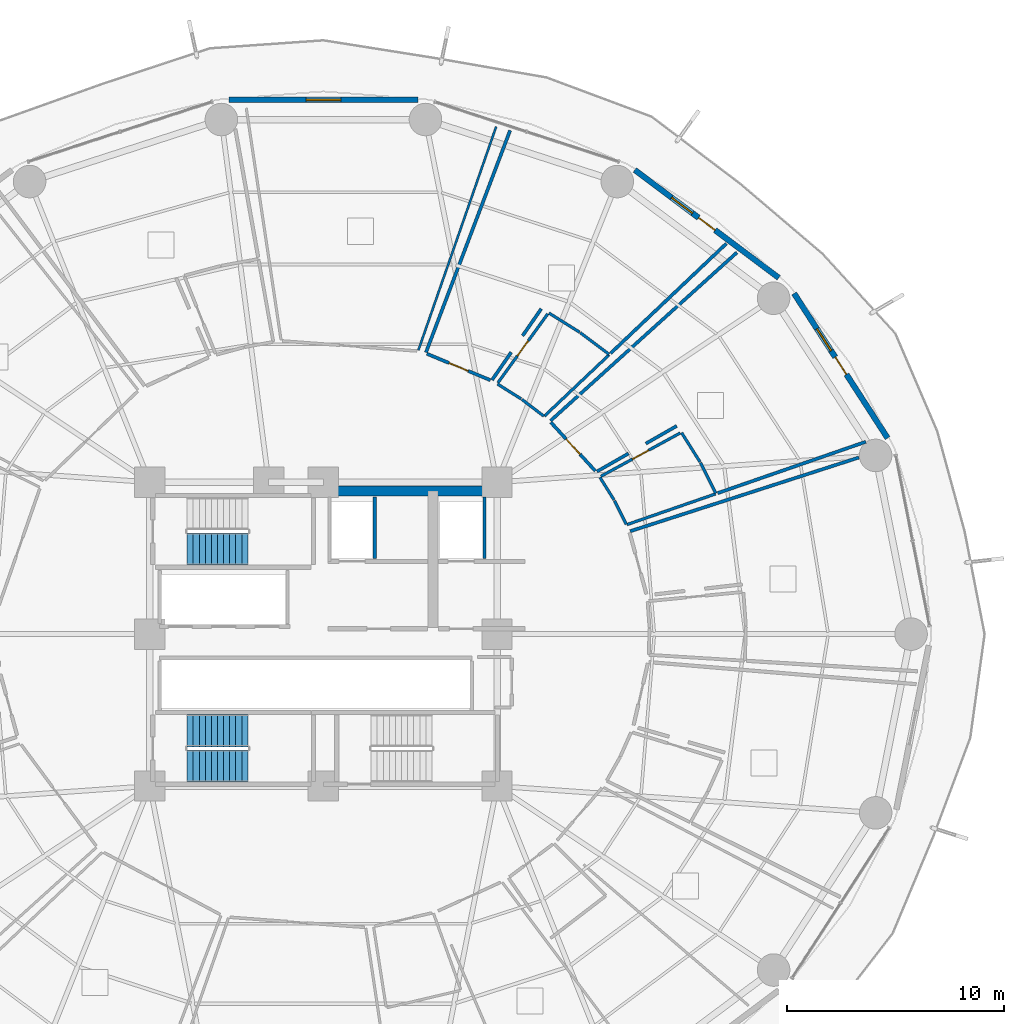
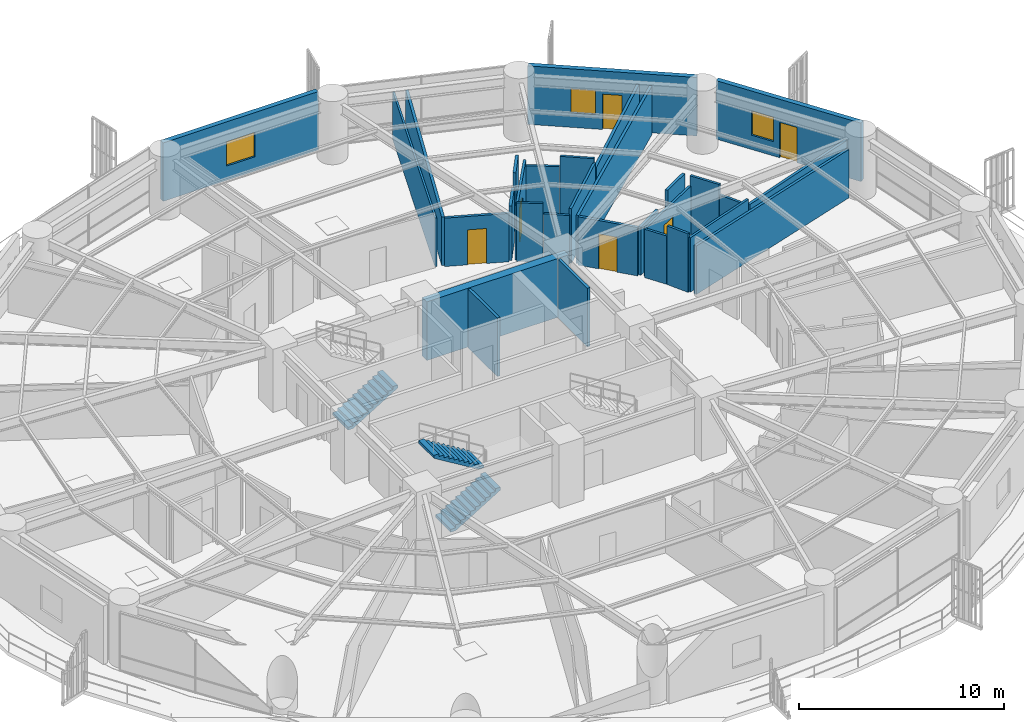
# One storey, part 26 of 32: 30 walls, 6 doors, 3 stair flights, 3 windows, 9 openings, 2 elements without a shape of their own.
"""IFC4 building model written with IfcOpenShell, lengths in metres."""

import ifcopenshell
import ifcopenshell.guid

model = None  # the IFC model being written
_history = None  # IfcOwnerHistory: only IFC2X3 demands one
_inside = {}  # id of a spatial element -> (the spatial element, [elements in it])
_under = {}  # id of a project, library or spatial element -> (it, [spatial elements below it])
_declared = {}  # id of a project -> (the project, [libraries it declares])
_typed = {}  # id of a type object -> (the type object, [elements of that type])
_made_of = {}  # id of a material, layer set ... -> (it, [elements and type objects made of it])


def new_model(schema):
    """Start an empty IFC model of exactly this schema.

    Asked for "IFC4X3", IfcOpenShell would pick the latest addendum, in which some entities
    have other attributes; the version numbers below select the first issue.
    IFC2X3 requires an IfcOwnerHistory on every rooted entity: one is made here for all.
    """
    global model, _history
    if schema == "IFC4X3":
        model = ifcopenshell.file(schema_version=(4, 3, 0, 0))
    else:
        model = ifcopenshell.file(schema=schema)
    _inside.clear()
    _under.clear()
    _declared.clear()
    _typed.clear()
    _made_of.clear()
    _history = None
    if model.schema == "IFC2X3":
        org = make("IfcOrganization", Name="unknown")
        user = make(
            "IfcPersonAndOrganization",
            ThePerson=make("IfcPerson", FamilyName="unknown"),
            TheOrganization=org,
        )
        app = make(
            "IfcApplication",
            ApplicationDeveloper=org,
            Version="unknown",
            ApplicationFullName="unknown",
            ApplicationIdentifier="unknown",
        )
        _history = make(
            "IfcOwnerHistory",
            OwningUser=user,
            OwningApplication=app,
            ChangeAction="ADDED",
            CreationDate=0,
        )
    return model


def make(cls, **values):
    """One entity of the class cls with the attributes given. An attribute that is None is left unset."""
    return model.create_entity(
        cls, **{name: value for name, value in values.items() if value is not None}
    )


def rooted(cls, **values):
    """An entity with a GlobalId (a new one), such as an element, a storey or a relation."""
    return make(cls, GlobalId=ifcopenshell.guid.new(), OwnerHistory=_history, **values)


def si_unit(unit_type, name, prefix=None):
    """IfcSIUnit, for example si_unit("LENGTHUNIT", "METRE", prefix="MILLI")."""
    return make("IfcSIUnit", UnitType=unit_type, Prefix=prefix, Name=name)


def assignment(units):
    """IfcUnitAssignment: the units of a project."""
    return None if units is None else make("IfcUnitAssignment", Units=units)


def point(xyz):
    """IfcCartesianPoint."""
    return None if xyz is None else make("IfcCartesianPoint", Coordinates=xyz)


def direction(xyz):
    """IfcDirection."""
    return None if xyz is None else make("IfcDirection", DirectionRatios=xyz)


def frame(location, z_axis=None, x_axis=None):
    """IfcAxis2Placement3D, a coordinate frame: its origin and axes. An axis left out is left unset."""
    return make(
        "IfcAxis2Placement3D",
        Location=point(location),
        Axis=direction(z_axis),
        RefDirection=direction(x_axis),
    )


def frame_2d(location, x_axis=None):
    """IfcAxis2Placement2D, a coordinate frame in the plane: its origin and x axis."""
    return make(
        "IfcAxis2Placement2D", Location=point(location), RefDirection=direction(x_axis)
    )


def origin():
    """The frame at (0, 0, 0) with its axes left unset."""
    return frame((0.0, 0.0, 0.0))


def place(relative_to, where):
    """IfcLocalPlacement: puts the frame where relative to a parent placement (None: the world)."""
    return make(
        "IfcLocalPlacement", PlacementRelTo=relative_to, RelativePlacement=where
    )


def context(
    kind, dimensions, precision=None, world=None, true_north=None, identifier=None
):
    """IfcGeometricRepresentationContext, for example the 3D "Model" context."""
    return make(
        "IfcGeometricRepresentationContext",
        ContextIdentifier=identifier,
        ContextType=kind,
        CoordinateSpaceDimension=dimensions,
        Precision=precision,
        WorldCoordinateSystem=world,
        TrueNorth=true_north,
    )


def subcontext(parent, identifier, kind, view, scale=None):
    """IfcGeometricRepresentationSubContext, for example "Body" below "Model"."""
    return make(
        "IfcGeometricRepresentationSubContext",
        ContextIdentifier=identifier,
        ContextType=kind,
        ParentContext=parent,
        TargetScale=scale,
        TargetView=view,
    )


def project(units=None, contexts=None):
    """IfcProject with its units and contexts."""
    return rooted(
        "IfcProject",
        Name="project",
        RepresentationContexts=contexts,
        UnitsInContext=assignment(units),
    )


def spatial(cls, under=None, at=None, **own):
    """A site, building, storey or space (cls), placed at a placement, below another one or the project."""
    s = rooted(cls, ObjectPlacement=at, **own)
    if under is not None:
        _under.setdefault(under.id(), (under, []))[1].append(s)
    return s


def polyline(points):
    """IfcPolyline through the points."""
    return make("IfcPolyline", Points=[point(p) for p in points])


def profile(cls, at=None, kind="AREA", **sizes):
    """A parametric profile (cls). Its sizes go by their IFC names, for example OverallWidth=200.0."""
    return make(cls, ProfileType=kind, Position=at, **sizes)


def rectangle(**sizes):
    """IfcRectangleProfileDef."""
    return profile("IfcRectangleProfileDef", **sizes)


def outline(outer, holes=None, kind="AREA"):
    """IfcArbitraryClosedProfileDef: a profile drawn as a closed curve; with holes, ...WithVoids."""
    if holes is None:
        return make("IfcArbitraryClosedProfileDef", ProfileType=kind, OuterCurve=outer)
    return make(
        "IfcArbitraryProfileDefWithVoids",
        ProfileType=kind,
        OuterCurve=outer,
        InnerCurves=holes,
    )


def extrude(swept, where, along, depth):
    """IfcExtrudedAreaSolid: the profile swept, set in the frame where, extruded along a direction by depth."""
    return make(
        "IfcExtrudedAreaSolid",
        SweptArea=swept,
        Position=where,
        ExtrudedDirection=direction(along),
        Depth=depth,
    )


def shape(context_of_items, identifier, shape_type, items):
    """IfcShapeRepresentation: the items that make up one representation, for example the "Body"."""
    return make(
        "IfcShapeRepresentation",
        ContextOfItems=context_of_items,
        RepresentationIdentifier=identifier,
        RepresentationType=shape_type,
        Items=items,
    )


def material(Name=None, Category=None):
    """IfcMaterial."""
    return make("IfcMaterial", Name=Name, Category=Category)


def layer(
    of_material, thickness, ventilated=None, Name=None, Category=None, Priority=None
):
    """IfcMaterialLayer: one layer of a wall or slab, of a material (None: an air gap)."""
    return make(
        "IfcMaterialLayer",
        Material=of_material,
        LayerThickness=thickness,
        IsVentilated=ventilated,
        Name=Name,
        Category=Category,
        Priority=Priority,
    )


def layer_set(layers, Name=None):
    """IfcMaterialLayerSet."""
    return make("IfcMaterialLayerSet", MaterialLayers=layers, LayerSetName=Name)


def made_of(thing, what):
    """Note that an element or type object is made of a material, layer set ...; save() writes the relation."""
    if what is not None:
        _made_of.setdefault(what.id(), (what, []))[1].append(thing)
    return thing


def type_object(cls, material=None, **own):
    """A type object (cls), such as IfcWallType, which elements share."""
    return made_of(rooted(cls, **own), material)


def element(
    cls,
    number,
    at=None,
    inside=None,
    cuts=None,
    type_object=None,
    material=None,
    context=None,
    identifier="Body",
    shape_type=None,
    held_by="IfcProductDefinitionShape",
    body=None,
    shapes=None,
    **own,
):
    """One element of the class cls, such as IfcWall. Its Tag is "e" and its number.

    at: its placement. inside: the storey or other place that contains it. cuts: it is an
    opening in that element (IfcRelVoidsElement). A single representation is given by context,
    identifier, shape_type and body (its items); several are given by shapes. held_by: the class
    of the entity that holds the representations. save() writes the other relations.
    """
    e = rooted(cls, Tag="e%d" % number, ObjectPlacement=at, **own)
    if body is not None:
        shapes = [shape(context, identifier, shape_type, body)]
    if shapes is not None:
        e.Representation = make(held_by, Representations=shapes)
    if inside is not None:
        _inside.setdefault(inside.id(), (inside, []))[1].append(e)
    if cuts is not None:
        rooted(
            "IfcRelVoidsElement", RelatingBuildingElement=cuts, RelatedOpeningElement=e
        )
    if type_object is not None:
        _typed.setdefault(type_object.id(), (type_object, []))[1].append(e)
    return made_of(e, material)


def fill(opening, filler):
    """IfcRelFillsElement: the door or window that sits in an opening."""
    return rooted(
        "IfcRelFillsElement",
        RelatingOpeningElement=opening,
        RelatedBuildingElement=filler,
    )


def aggregate(whole, parts):
    """IfcRelAggregates: a whole, such as a stair, and the parts it consists of."""
    return rooted("IfcRelAggregates", RelatingObject=whole, RelatedObjects=parts)


def save(model, path):
    """Write the relations noted so far, then the file.

    IfcRelAggregates (storeys below a building ...), IfcRelContainedInSpatialStructure (elements
    in a storey), IfcRelDefinesByType, IfcRelAssociatesMaterial and IfcRelDeclares: one each for
    every whole, place, type object, material and project.
    """
    for whole, parts in _under.values():
        aggregate(whole, parts)
    for where, things in _inside.values():
        rooted(
            "IfcRelContainedInSpatialStructure",
            RelatedElements=things,
            RelatingStructure=where,
        )
    for kind, things in _typed.values():
        rooted("IfcRelDefinesByType", RelatedObjects=things, RelatingType=kind)
    for what, things in _made_of.values():
        rooted("IfcRelAssociatesMaterial", RelatedObjects=things, RelatingMaterial=what)
    for by, libraries in _declared.values():
        rooted("IfcRelDeclares", RelatingContext=by, RelatedDefinitions=libraries)
    model.write(path)


model = new_model("IFC4")

# Units and contexts
model_context = context("Model", 3, precision=1e-05, world=origin(), true_north=direction((0.0, 1.0)))
body_context = subcontext(model_context, "Body", "Model", "MODEL_VIEW")
ifc_project = project(units=[si_unit("LENGTHUNIT", "METRE"), si_unit("AREAUNIT", "SQUARE_METRE"), si_unit("VOLUMEUNIT", "CUBIC_METRE"), si_unit("PLANEANGLEUNIT", "RADIAN"), si_unit("MASSUNIT", "GRAM", prefix="KILO")], contexts=[model_context])

# Site, building, storey
site_placement = place(None, origin())
site = spatial("IfcSite", under=ifc_project, at=site_placement, CompositionType="ELEMENT")
building_placement = place(site_placement, origin())
building = spatial("IfcBuilding", under=site, at=building_placement, Name="Kelanora Arch Commons", CompositionType="ELEMENT")
storey_placement = place(building_placement, frame((0.0, 0.0, 56.25)))
storey = spatial("IfcBuildingStorey", under=building, at=storey_placement, Name="L14", CompositionType="ELEMENT", Elevation=56.25)

# Walls
ifc_material_1 = material(Name="Autoclaved aerated concrete blockwork with fire plaster", Category="masonry")
ifc_layer_1 = layer(ifc_material_1, 0.14990234375)
ifc_layer_set_1 = layer_set([ifc_layer_1], Name="Autoclaved aerated concrete blockwork with fire plaster")
wall_type_1 = type_object("IfcWallType", Name="W-COMP-150", PredefinedType="PARTITIONING", material=ifc_layer_set_1)
for number, where, z_axis, x_axis, name in (
    (1, (76.360107421875, 61.47998046875, 0.0), (0.0, 0.0, 1.0), (0.0, 1.0, 0.0), "Firefighting Lift 1 East Shaft Wall L14"),
    (2, (81.419921875, 61.47998046875, 0.0), (0.0, 0.0, 1.0), (0.0, 1.0, 0.0), "Firefighting Lift 2 East Shaft Wall L14"),
):
    element("IfcWall", number, at=place(storey_placement, frame(where, z_axis=z_axis, x_axis=x_axis)), inside=storey, type_object=wall_type_1, Name=name, PredefinedType="PARTITIONING", context=body_context, shape_type="SweptSolid", body=[
        extrude(rectangle(XDim=2.840087890625, YDim=0.14990234375, at=frame_2d((1.419921875, 0.0))), origin(), (0.0, 0.0, 1.0), 3.47998046875),
    ])

# Wall, opening, door
wall_1_placement = place(storey_placement, frame((86.529541015625, 65.517333984375, 0.0), z_axis=(0.0, 0.0, 1.0), x_axis=(-0.674433052632, 0.738336005839, 0.0)))
wall_1 = element("IfcWall", 3, at=wall_1_placement, inside=storey, type_object=wall_type_1, Name="Co-Living Studio L14-01 Entry Partition", PredefinedType="PARTITIONING", context=body_context, shape_type="SweptSolid", body=[
    extrude(rectangle(XDim=3.041015625, YDim=0.14990234375, at=frame_2d((1.5205078125, 0.0))), origin(), (0.0, 0.0, 1.0), 2.875),
])
opening_1_placement = place(wall_1_placement, frame((1.0458984375, 0.0, 0.0)))
opening_1 = element("IfcOpeningElement", 4, at=opening_1_placement, cuts=wall_1, Name="Opening D-CLU1", PredefinedType="OPENING", context=body_context, shape_type="SweptSolid", body=[
    extrude(rectangle(XDim=0.949951171875, YDim=2.080078125, at=frame_2d((0.47509765625, 1.0400390625))), frame((0.0, 0.0849609375, 0.0), z_axis=(0.0, -1.0, 0.0), x_axis=(1.0, 0.0, 0.0)), (0.0, 0.0, 1.0), 0.169921875),
])
ifc_material_2 = material(Name="Solid-core acoustic timber cluster entry fire door", Category="wood")
door_type_1 = type_object("IfcDoorType", Name="D-CLU-95", OperationType="NOTDEFINED", PredefinedType="DOOR", material=ifc_material_2)
door_1_placement = place(opening_1_placement, origin())
door_1 = element("IfcDoor", 5, at=door_1_placement, inside=storey, type_object=door_type_1, Name="Co-Living Studio L14-01 Door", OperationType="SINGLE_SWING_RIGHT", OverallHeight=2.080078125, OverallWidth=0.949951171875, PredefinedType="DOOR", context=body_context, shape_type="SweptSolid", body=[
    extrude(rectangle(XDim=0.949951171875, YDim=2.080078125, at=frame_2d((0.47509765625, 1.0400390625))), frame((0.0, 0.02490234375, 0.0), z_axis=(0.0, -1.0, 0.0), x_axis=(1.0, 0.0, 0.0)), (0.0, 0.0, 1.0), 0.050048828125),
])
fill(opening_1, door_1)

wall_2_placement = place(storey_placement, frame((81.693603515625, 69.7021484375, 0.0), z_axis=(0.0, 0.0, 1.0), x_axis=(-0.923245473314, 0.384210614124, 0.0)))
wall_2 = element("IfcWall", 6, at=wall_2_placement, inside=storey, type_object=wall_type_1, Name="Co-Living Studio L14-02 Entry Partition", PredefinedType="PARTITIONING", context=body_context, shape_type="SweptSolid", body=[
    extrude(rectangle(XDim=3.16943359375, YDim=0.14990234375, at=frame_2d((1.584716796875, 0.0))), origin(), (0.0, 0.0, 1.0), 2.875),
])
opening_2_placement = place(wall_2_placement, frame((1.110107421875, 0.0, 0.0)))
opening_2 = element("IfcOpeningElement", 7, at=opening_2_placement, cuts=wall_2, Name="Opening D-CLU1", PredefinedType="OPENING", context=body_context, shape_type="SweptSolid", body=[
    extrude(rectangle(XDim=0.949951171875, YDim=2.080078125, at=frame_2d((0.47509765625, 1.0400390625))), frame((0.0, 0.0849609375, 0.0), z_axis=(0.0, -1.0, 0.0), x_axis=(1.0, 0.0, 0.0)), (0.0, 0.0, 1.0), 0.169921875),
])
door_2_placement = place(opening_2_placement, origin())
door_2 = element("IfcDoor", 8, at=door_2_placement, inside=storey, type_object=door_type_1, Name="Co-Living Studio L14-02 Door", OperationType="SINGLE_SWING_RIGHT", OverallHeight=2.080078125, OverallWidth=0.949951171875, PredefinedType="DOOR", context=body_context, shape_type="SweptSolid", body=[
    extrude(rectangle(XDim=0.949951171875, YDim=2.080078125, at=frame_2d((0.47509765625, 1.0400390625))), frame((0.0, 0.02490234375, 0.0), z_axis=(0.0, -1.0, 0.0), x_axis=(1.0, 0.0, 0.0)), (0.0, 0.0, 1.0), 0.050048828125),
])
fill(opening_2, door_2)

# Walls
wall_3_placement = place(storey_placement, frame((84.4677734375, 67.833740234375, 0.0), z_axis=(0.0, 0.0, 1.0), x_axis=(0.742191353367, 0.670188029577, 0.0)))
element("IfcWall", 9, at=wall_3_placement, inside=storey, type_object=wall_type_1, Name="Co-Living Studio L14-01 Enclosure Partition 2", PredefinedType="PARTITIONING", context=body_context, shape_type="SweptSolid", body=[
    extrude(rectangle(XDim=11.569091796875, YDim=0.14990234375, at=frame_2d((5.78466796875, 0.0))), origin(), (0.0, 0.0, 1.0), 2.875),
])
wall_4_placement = place(storey_placement, frame((98.992431640625, 66.863525390625, 0.0), z_axis=(0.0, 0.0, 1.0), x_axis=(-0.944826855148, -0.327570166212, 0.0)))
element("IfcWall", 10, at=wall_4_placement, inside=storey, type_object=wall_type_1, Name="Co-Living Studio L14-01 Enclosure Partition 5", PredefinedType="PARTITIONING", context=body_context, shape_type="SweptSolid", body=[
    extrude(rectangle(XDim=7.224365234375, YDim=0.14990234375, at=frame_2d((3.6123046875, 0.0))), origin(), (0.0, 0.0, 1.0), 2.875),
])
wall_5_placement = place(storey_placement, frame((90.283203125, 67.59423828125, 0.0), z_axis=(0.0, 0.0, 1.0), x_axis=(-0.868279787631, -0.496074803221, 0.0)))
element("IfcWall", 11, at=wall_5_placement, inside=storey, type_object=wall_type_1, Name="Co-Living Studio L14-01 Enclosure Partition 7", PredefinedType="PARTITIONING", context=body_context, shape_type="SweptSolid", body=[
    extrude(rectangle(XDim=1.639892578125, YDim=0.14990234375, at=frame_2d((0.81982421875, 0.0))), origin(), (0.0, 0.0, 1.0), 3.47998046875),
])
wall_6_placement = place(storey_placement, frame((88.060302734375, 66.32421875, 0.0), z_axis=(0.0, 0.0, 1.0), x_axis=(-0.86835963742, -0.495935016004, 0.0)))
element("IfcWall", 12, at=wall_6_placement, inside=storey, type_object=wall_type_1, Name="Co-Living Studio L14-01 Enclosure Partition 7", PredefinedType="PARTITIONING", context=body_context, shape_type="SweptSolid", body=[
    extrude(rectangle(XDim=1.67626953125, YDim=0.14990234375, at=frame_2d((0.838134765625, 0.0))), origin(), (0.0, 0.0, 1.0), 2.875),
])
wall_7_placement = place(storey_placement, frame((78.726318359375, 70.98046875, 0.0), z_axis=(0.0, 0.0, 1.0), x_axis=(0.354325845477, 0.935122021571, 0.0)))
element("IfcWall", 13, at=wall_7_placement, inside=storey, type_object=wall_type_1, Name="Co-Living Studio L14-02 Enclosure Partition 2", PredefinedType="PARTITIONING", context=body_context, shape_type="SweptSolid", body=[
    extrude(rectangle(XDim=10.937744140625, YDim=0.14990234375, at=frame_2d((5.46875, 0.0))), origin(), (0.0, 0.0, 1.0), 2.875),
])
wall_8_placement = place(storey_placement, frame((92.56689453125, 75.99658203125, 0.0), z_axis=(0.0, 0.0, 1.0), x_axis=(-0.725622707533, -0.688092789028, 0.0)))
element("IfcWall", 14, at=wall_8_placement, inside=storey, type_object=wall_type_1, Name="Co-Living Studio L14-02 Enclosure Partition 5", PredefinedType="PARTITIONING", context=body_context, shape_type="SweptSolid", body=[
    extrude(rectangle(XDim=7.350830078125, YDim=0.14990234375, at=frame_2d((3.67529296875, 0.0))), origin(), (0.0, 0.0, 1.0), 2.875),
])
wall_9_placement = place(storey_placement, frame((84.037353515625, 72.9921875, 0.0), z_axis=(0.0, 0.0, 1.0), x_axis=(-0.568328597461, -0.822801680424, 0.0)))
element("IfcWall", 15, at=wall_9_placement, inside=storey, type_object=wall_type_1, Name="Co-Living Studio L14-02 Enclosure Partition 7", PredefinedType="PARTITIONING", context=body_context, shape_type="SweptSolid", body=[
    extrude(rectangle(XDim=1.512939453125, YDim=0.14990234375, at=frame_2d((0.75634765625, 0.0))), origin(), (0.0, 0.0, 1.0), 3.47998046875),
])
wall_10_placement = place(storey_placement, frame((82.654541015625, 70.989990234375, 0.0), z_axis=(0.0, 0.0, 1.0), x_axis=(-0.568335150004, -0.822797154389, 0.0)))
element("IfcWall", 16, at=wall_10_placement, inside=storey, type_object=wall_type_1, Name="Co-Living Studio L14-02 Enclosure Partition 7", PredefinedType="PARTITIONING", context=body_context, shape_type="SweptSolid", body=[
    extrude(rectangle(XDim=1.55322265625, YDim=0.14990234375, at=frame_2d((0.776611328125, 0.0))), origin(), (0.0, 0.0, 1.0), 3.235107421875),
])
wall_11_placement = place(storey_placement, frame((88.134033203125, 62.7412109375, 0.0), z_axis=(0.0, 0.0, 1.0), x_axis=(0.951774856366, 0.30679736438, 0.0)))
element("IfcWall", 17, at=wall_11_placement, inside=storey, type_object=wall_type_1, Name="Co-Living Studio L14-14 Enclosure Partition 2", PredefinedType="PARTITIONING", context=body_context, shape_type="SweptSolid", body=[
    extrude(rectangle(XDim=11.077880859375, YDim=0.14990234375, at=frame_2d((5.5390625, 0.0))), origin(), (0.0, 0.0, 1.0), 2.875),
])
ifc_material_3 = material(Name="Concrete C60/75", Category="concrete")
ifc_layer_2 = layer(ifc_material_3, 0.449951171875)
ifc_layer_set_2 = layer_set([ifc_layer_2], Name="Concrete C60/75")
wall_type_2 = type_object("IfcWallType", Name="W-CORE-450", PredefinedType="SHEAR", material=ifc_layer_set_2)
wall_12_placement = place(storey_placement, frame((74.0, 64.60009765625, 0.0), z_axis=(0.0, 0.0, 1.0), x_axis=(1.0, 0.0, 0.0)))
element("IfcWall", 18, at=wall_12_placement, inside=storey, type_object=wall_type_2, Name="Core Shear Spine L14-CN-E", PredefinedType="SHEAR", context=body_context, shape_type="SweptSolid", body=[
    extrude(rectangle(XDim=8.0, YDim=0.449951171875, at=frame_2d((4.0, 0.0))), origin(), (0.0, 0.0, 1.0), 3.489990234375),
])

# Wall, openings, door, window
ifc_material_4 = material(Name="Precast concrete C40/50 with terracotta rainscreen", Category="masonry")
ifc_layer_3 = layer(ifc_material_4, 0.260009765625)
ifc_layer_set_3 = layer_set([ifc_layer_3], Name="Precast concrete C40/50 with terracotta rainscreen")
wall_type_3 = type_object("IfcWallType", Name="W-EXT-TC", PredefinedType="SOLIDWALL", material=ifc_layer_set_3)
wall_13_placement = place(storey_placement, frame((99.999267578125, 67.033203125, 0.0), z_axis=(0.0, 0.0, 1.0), x_axis=(-0.543005114258, 0.839729388488, 0.0)))
wall_13 = element("IfcWall", 19, at=wall_13_placement, inside=storey, type_object=wall_type_3, Name="Terracotta Exterior Wall L14-B01", PredefinedType="SOLIDWALL", context=body_context, shape_type="SweptSolid", body=[
    extrude(rectangle(XDim=7.9375, YDim=0.260009765625, at=frame_2d((3.96875, 0.0))), origin(), (0.0, 0.0, 1.0), 3.47509765625),
])
opening_3_placement = place(wall_13_placement, frame((3.493896484375, 0.0, 0.0)))
opening_3 = element("IfcOpeningElement", 20, at=opening_3_placement, cuts=wall_13, Name="Opening DB-01", PredefinedType="OPENING", context=body_context, shape_type="SweptSolid", body=[
    extrude(rectangle(XDim=0.949951171875, YDim=2.10009765625, at=frame_2d((0.47509765625, 1.050048828125))), frame((0.0, 0.14013671875, 0.0), z_axis=(0.0, -1.0, 0.0), x_axis=(1.0, 0.0, 0.0)), (0.0, 0.0, 1.0), 0.280029296875),
])
opening_4_placement = place(wall_13_placement, frame((4.7939453125, 0.0, 0.85009765625)))
opening_4 = element("IfcOpeningElement", 21, at=opening_4_placement, cuts=wall_13, Name="Opening WN-02", PredefinedType="OPENING", context=body_context, shape_type="SweptSolid", body=[
    extrude(rectangle(XDim=1.199951171875, YDim=1.449951171875, at=frame_2d((0.60009765625, 0.72509765625))), frame((0.0, 0.14013671875, 0.0), z_axis=(0.0, -1.0, 0.0), x_axis=(1.0, 0.0, 0.0)), (0.0, 0.0, 1.0), 0.280029296875),
])
ifc_material_5 = material(Name="Terracotta-aluminium thermally broken glazed balcony door", Category="masonry")
door_type_2 = type_object("IfcDoorType", Name="D-BAL-10", OperationType="NOTDEFINED", PredefinedType="DOOR", material=ifc_material_5)
door_3_placement = place(opening_3_placement, frame((0.949951171875, 0.0, 0.0), z_axis=(0.0, 0.0, 1.0), x_axis=(-1.0, 0.0, 0.0)))
door_3 = element("IfcDoor", 22, at=door_3_placement, inside=storey, type_object=door_type_2, Name="Wave Balcony Door L14-B01", OperationType="SINGLE_SWING_RIGHT", OverallHeight=2.10009765625, OverallWidth=0.949951171875, PredefinedType="DOOR", context=body_context, shape_type="SweptSolid", body=[
    extrude(rectangle(XDim=0.949951171875, YDim=2.10009765625, at=frame_2d((0.47509765625, 1.050048828125))), frame((0.0, 0.02490234375, 0.0), z_axis=(0.0, -1.0, 0.0), x_axis=(1.0, 0.0, 0.0)), (0.0, 0.0, 1.0), 0.050048828125),
])
fill(opening_3, door_3)
ifc_material_6 = material(Name="Terracotta-anodised aluminium frame with operable awning sash", Category="masonry")
window_type_1 = type_object("IfcWindowType", Name="WIN-CL-12", PartitioningType="SINGLE_PANEL", PredefinedType="WINDOW", material=ifc_material_6)
window_1_placement = place(opening_4_placement, origin())
window_1 = element("IfcWindow", 23, at=window_1_placement, inside=storey, type_object=window_type_1, Name="Co-Living Operable Window L14-B01", OverallHeight=1.449951171875, OverallWidth=1.199951171875, PartitioningType="SINGLE_PANEL", PredefinedType="WINDOW", context=body_context, shape_type="SweptSolid", body=[
    extrude(rectangle(XDim=1.199951171875, YDim=1.449951171875, at=frame_2d((0.60009765625, 0.72509765625))), frame((0.0, 0.030029296875, 0.0), z_axis=(0.0, -1.0, 0.0), x_axis=(1.0, 0.0, 0.0)), (0.0, 0.0, 1.0), 0.06005859375),
])
fill(opening_4, window_1)

wall_14_placement = place(storey_placement, frame((94.98388671875, 74.418212890625, 0.0), z_axis=(0.0, 0.0, 1.0), x_axis=(-0.80030733173, 0.599590005569, 0.0)))
wall_14 = element("IfcWall", 24, at=wall_14_placement, inside=storey, type_object=wall_type_3, Name="Terracotta Exterior Wall L14-B02", PredefinedType="SOLIDWALL", context=body_context, shape_type="SweptSolid", body=[
    extrude(rectangle(XDim=8.29052734375, YDim=0.260009765625, at=frame_2d((4.145263671875, 0.0))), origin(), (0.0, 0.0, 1.0), 3.47509765625),
])
opening_5_placement = place(wall_14_placement, frame((3.669921875, 0.0, 0.0)))
opening_5 = element("IfcOpeningElement", 25, at=opening_5_placement, cuts=wall_14, Name="Opening DB-01", PredefinedType="OPENING", context=body_context, shape_type="SweptSolid", body=[
    extrude(rectangle(XDim=0.949951171875, YDim=2.10009765625, at=frame_2d((0.47509765625, 1.050048828125))), frame((0.0, 0.14013671875, 0.0), z_axis=(0.0, -1.0, 0.0), x_axis=(1.0, 0.0, 0.0)), (0.0, 0.0, 1.0), 0.280029296875),
])
opening_6_placement = place(wall_14_placement, frame((4.969970703125, 0.0, 0.85009765625)))
opening_6 = element("IfcOpeningElement", 26, at=opening_6_placement, cuts=wall_14, Name="Opening WN-02", PredefinedType="OPENING", context=body_context, shape_type="SweptSolid", body=[
    extrude(rectangle(XDim=1.199951171875, YDim=1.449951171875, at=frame_2d((0.60009765625, 0.72509765625))), frame((0.0, 0.14013671875, 0.0), z_axis=(0.0, -1.0, 0.0), x_axis=(1.0, 0.0, 0.0)), (0.0, 0.0, 1.0), 0.280029296875),
])
door_4_placement = place(opening_5_placement, frame((0.949951171875, 0.0, 0.0), z_axis=(0.0, 0.0, 1.0), x_axis=(-1.0, 0.0, 0.0)))
door_4 = element("IfcDoor", 27, at=door_4_placement, inside=storey, type_object=door_type_2, Name="Wave Balcony Door L14-B02", OperationType="SINGLE_SWING_LEFT", OverallHeight=2.10009765625, OverallWidth=0.949951171875, PredefinedType="DOOR", context=body_context, shape_type="SweptSolid", body=[
    extrude(rectangle(XDim=0.949951171875, YDim=2.10009765625, at=frame_2d((0.47509765625, 1.050048828125))), frame((0.0, 0.02490234375, 0.0), z_axis=(0.0, -1.0, 0.0), x_axis=(1.0, 0.0, 0.0)), (0.0, 0.0, 1.0), 0.050048828125),
])
fill(opening_5, door_4)
window_2_placement = place(opening_6_placement, origin())
window_2 = element("IfcWindow", 28, at=window_2_placement, inside=storey, type_object=window_type_1, Name="Co-Living Operable Window L14-B02", OverallHeight=1.449951171875, OverallWidth=1.199951171875, PartitioningType="SINGLE_PANEL", PredefinedType="WINDOW", context=body_context, shape_type="SweptSolid", body=[
    extrude(rectangle(XDim=1.199951171875, YDim=1.449951171875, at=frame_2d((0.60009765625, 0.72509765625))), frame((0.0, 0.030029296875, 0.0), z_axis=(0.0, -1.0, 0.0), x_axis=(1.0, 0.0, 0.0)), (0.0, 0.0, 1.0), 0.06005859375),
])
fill(opening_6, window_2)

# Wall, opening, window
wall_15_placement = place(storey_placement, frame((78.35595703125, 82.6201171875, 0.0), z_axis=(0.0, 0.0, 1.0), x_axis=(-1.0, 0.0, 0.0)))
wall_15 = element("IfcWall", 29, at=wall_15_placement, inside=storey, type_object=wall_type_3, Name="Terracotta Exterior Wall L14-B04", PredefinedType="SOLIDWALL", context=body_context, shape_type="SweptSolid", body=[
    extrude(rectangle(XDim=8.7119140625, YDim=0.260009765625, at=frame_2d((4.35595703125, 0.0))), origin(), (0.0, 0.0, 1.0), 3.47509765625),
])
opening_7_placement = place(wall_15_placement, frame((3.555908203125, 0.0, 0.85009765625)))
opening_7 = element("IfcOpeningElement", 30, at=opening_7_placement, cuts=wall_15, Name="Opening WN-01", PredefinedType="OPENING", context=body_context, shape_type="SweptSolid", body=[
    extrude(rectangle(XDim=1.60009765625, YDim=1.449951171875, at=frame_2d((0.800048828125, 0.72509765625))), frame((0.0, 0.14013671875, 0.0), z_axis=(0.0, -1.0, 0.0), x_axis=(1.0, 0.0, 0.0)), (0.0, 0.0, 1.0), 0.280029296875),
])
ifc_material_7 = material(Name="Terracotta-anodised aluminium frame with operable low-E glazing", Category="masonry")
window_type_2 = type_object("IfcWindowType", Name="WIN-CL-18", PartitioningType="DOUBLE_PANEL_VERTICAL", PredefinedType="WINDOW", material=ifc_material_7)
window_3_placement = place(opening_7_placement, origin())
window_3 = element("IfcWindow", 31, at=window_3_placement, inside=storey, type_object=window_type_2, Name="Co-Living Operable Window L14-B04", OverallHeight=1.449951171875, OverallWidth=1.60009765625, PartitioningType="SINGLE_PANEL", PredefinedType="WINDOW", context=body_context, shape_type="SweptSolid", body=[
    extrude(rectangle(XDim=1.60009765625, YDim=1.449951171875, at=frame_2d((0.800048828125, 0.72509765625))), frame((0.0, 0.030029296875, 0.0), z_axis=(0.0, -1.0, 0.0), x_axis=(1.0, 0.0, 0.0)), (0.0, 0.0, 1.0), 0.06005859375),
])
fill(opening_7, window_3)

# Wall
ifc_material_8 = material(Name="Lightweight fire-rated acoustic stud partition")
ifc_layer_4 = layer(ifc_material_8, 0.10009765625)
ifc_layer_set_4 = layer_set([ifc_layer_4], Name="Lightweight fire-rated acoustic stud partition")
wall_type_4 = type_object("IfcWallType", Name="W-PART-100", PredefinedType="PARTITIONING", material=ifc_layer_set_4)
wall_16_placement = place(storey_placement, frame((81.9619140625, 81.38818359375, 0.0), z_axis=(0.0, 0.0, 1.0), x_axis=(-0.328662915274, -0.944447292401, 0.0)))
element("IfcWall", 32, at=wall_16_placement, inside=storey, type_object=wall_type_4, Name="Communal Dining and Social Hall L14-03 Enclosure Partition 4", PredefinedType="PARTITIONING", context=body_context, shape_type="SweptSolid", body=[
    extrude(rectangle(XDim=10.91357421875, YDim=0.10009765625, at=frame_2d((5.456787109375, 0.0))), origin(), (0.0, 0.0, 1.0), 2.875),
])

# Wall, opening, door
ifc_material_9 = material(Name="Moisture-resistant fire-rated cement-board plumbing wall")
ifc_layer_5 = layer(ifc_material_9, 0.1298828125)
ifc_layer_set_5 = layer_set([ifc_layer_5], Name="Moisture-resistant fire-rated cement-board plumbing wall")
wall_type_5 = type_object("IfcWallType", Name="W-WET-120", PredefinedType="PLUMBINGWALL", material=ifc_layer_set_5)
wall_17_placement = place(storey_placement, frame((86.78466796875, 65.271728515625, 0.0), z_axis=(0.0, 0.0, 1.0), x_axis=(0.877747757983, 0.479123025283, 0.0)))
wall_17 = element("IfcWall", 33, at=wall_17_placement, inside=storey, type_object=wall_type_5, Name="En-Suite Shower WC L14-01 Entry Partition", PredefinedType="PLUMBINGWALL", context=body_context, shape_type="SweptSolid", body=[
    extrude(rectangle(XDim=4.167236328125, YDim=0.1298828125, at=frame_2d((2.08349609375, 0.0))), origin(), (0.0, 0.0, 1.0), 2.875),
])
opening_8_placement = place(wall_17_placement, frame((1.654052734375, 0.0, 0.0)))
opening_8 = element("IfcOpeningElement", 34, at=opening_8_placement, cuts=wall_17, Name="Opening D-BT1", PredefinedType="OPENING", context=body_context, shape_type="SweptSolid", body=[
    extrude(rectangle(XDim=0.860107421875, YDim=2.050048828125, at=frame_2d((0.43017578125, 1.02490234375))), frame((0.0, 0.074951171875, 0.0), z_axis=(0.0, -1.0, 0.0), x_axis=(1.0, 0.0, 0.0)), (0.0, 0.0, 1.0), 0.14990234375),
])
ifc_material_10 = material(Name="Moisture-sealed fire-rated accessible bathroom door")
door_type_3 = type_object("IfcDoorType", Name="D-BATH-85", OperationType="NOTDEFINED", PredefinedType="DOOR", material=ifc_material_10)
door_5_placement = place(opening_8_placement, origin())
door_5 = element("IfcDoor", 35, at=door_5_placement, inside=storey, type_object=door_type_3, Name="En-Suite Shower WC L14-01 Door", OperationType="SINGLE_SWING_LEFT", OverallHeight=2.050048828125, OverallWidth=0.860107421875, PredefinedType="DOOR", context=body_context, shape_type="SweptSolid", body=[
    extrude(rectangle(XDim=0.860107421875, YDim=2.050048828125, at=frame_2d((0.43017578125, 1.02490234375))), frame((0.0, 0.02490234375, 0.0), z_axis=(0.0, -1.0, 0.0), x_axis=(1.0, 0.0, 0.0)), (0.0, 0.0, 1.0), 0.050048828125),
])
fill(opening_8, door_5)

wall_18_placement = place(storey_placement, frame((82.041259765625, 69.58349609375, 0.0), z_axis=(0.0, 0.0, 1.0), x_axis=(0.586113694769, 0.810228817559, 0.0)))
wall_18 = element("IfcWall", 36, at=wall_18_placement, inside=storey, type_object=wall_type_5, Name="En-Suite Shower WC L14-02 Entry Partition", PredefinedType="PLUMBINGWALL", context=body_context, shape_type="SweptSolid", body=[
    extrude(rectangle(XDim=3.91845703125, YDim=0.1298828125, at=frame_2d((1.959228515625, 0.0))), origin(), (0.0, 0.0, 1.0), 3.235107421875),
])
opening_9_placement = place(wall_18_placement, frame((1.529052734375, 0.0, 0.0)))
opening_9 = element("IfcOpeningElement", 37, at=opening_9_placement, cuts=wall_18, Name="Opening D-BT1", PredefinedType="OPENING", context=body_context, shape_type="SweptSolid", body=[
    extrude(rectangle(XDim=0.860107421875, YDim=2.050048828125, at=frame_2d((0.43017578125, 1.02490234375))), frame((0.0, 0.074951171875, 0.0), z_axis=(0.0, -1.0, 0.0), x_axis=(1.0, 0.0, 0.0)), (0.0, 0.0, 1.0), 0.14990234375),
])
door_6_placement = place(opening_9_placement, origin())
door_6 = element("IfcDoor", 38, at=door_6_placement, inside=storey, type_object=door_type_3, Name="En-Suite Shower WC L14-02 Door", OperationType="SINGLE_SWING_LEFT", OverallHeight=2.050048828125, OverallWidth=0.860107421875, PredefinedType="DOOR", context=body_context, shape_type="SweptSolid", body=[
    extrude(rectangle(XDim=0.860107421875, YDim=2.050048828125, at=frame_2d((0.43017578125, 1.02490234375))), frame((0.0, 0.02490234375, 0.0), z_axis=(0.0, -1.0, 0.0), x_axis=(1.0, 0.0, 0.0)), (0.0, 0.0, 1.0), 0.050048828125),
])
fill(opening_9, door_6)

# Walls
wall_19_placement = place(storey_placement, frame((87.9560546875, 63.057861328125, 0.0), z_axis=(0.0, 0.0, 1.0), x_axis=(-0.445610682281, 0.895226853841, 0.0)))
element("IfcWall", 39, at=wall_19_placement, inside=storey, type_object=wall_type_5, Name="En-Suite Shower WC L14-01 Enclosure Partition 1", PredefinedType="PLUMBINGWALL", context=body_context, shape_type="SweptSolid", body=[
    extrude(rectangle(XDim=1.218994140625, YDim=0.1298828125, at=frame_2d((0.609375, 0.0))), origin(), (0.0, 0.0, 1.0), 3.47998046875),
])
wall_20_placement = place(storey_placement, frame((87.393310546875, 64.18408203125, 0.0), z_axis=(0.0, 0.0, 1.0), x_axis=(-0.5296416079, 0.848221531901, 0.0)))
element("IfcWall", 40, at=wall_20_placement, inside=storey, type_object=wall_type_5, Name="En-Suite Shower WC L14-01 Enclosure Partition 2", PredefinedType="PLUMBINGWALL", context=body_context, shape_type="SweptSolid", body=[
    extrude(rectangle(XDim=1.228515625, YDim=0.1298828125, at=frame_2d((0.6142578125, 0.0))), origin(), (0.0, 0.0, 1.0), 2.875),
])
wall_21_placement = place(storey_placement, frame((90.505615234375, 67.280029296875, 0.0), z_axis=(0.0, 0.0, 1.0), x_axis=(0.533000334155, -0.846115029881, 0.0)))
element("IfcWall", 41, at=wall_21_placement, inside=storey, type_object=wall_type_5, Name="En-Suite Shower WC L14-01 Enclosure Partition 4", PredefinedType="PLUMBINGWALL", context=body_context, shape_type="SweptSolid", body=[
    extrude(rectangle(XDim=1.59228515625, YDim=0.1298828125, at=frame_2d((0.796142578125, 0.0))), origin(), (0.0, 0.0, 1.0), 3.47998046875),
])
wall_22_placement = place(storey_placement, frame((91.3740234375, 65.898193359375, 0.0), z_axis=(0.0, 0.0, 1.0), x_axis=(0.448882213202, -0.893590934752, 0.0)))
element("IfcWall", 42, at=wall_22_placement, inside=storey, type_object=wall_type_5, Name="En-Suite Shower WC L14-01 Enclosure Partition 5", PredefinedType="PLUMBINGWALL", context=body_context, shape_type="SweptSolid", body=[
    extrude(rectangle(XDim=1.579345703125, YDim=0.1298828125, at=frame_2d((0.78955078125, 0.0))), origin(), (0.0, 0.0, 1.0), 2.875),
])
wall_23_placement = place(storey_placement, frame((92.072998046875, 64.46240234375, 0.0), z_axis=(0.0, 0.0, 1.0), x_axis=(-0.944946491884, -0.327224888228, 0.0)))
element("IfcWall", 43, at=wall_23_placement, inside=storey, type_object=wall_type_5, Name="En-Suite Shower WC L14-01 Enclosure Partition 6", PredefinedType="PLUMBINGWALL", context=body_context, shape_type="SweptSolid", body=[
    extrude(rectangle(XDim=4.327392578125, YDim=0.1298828125, at=frame_2d((2.16357421875, 0.0))), origin(), (0.0, 0.0, 1.0), 3.235107421875),
])
wall_24_placement = place(storey_placement, frame((84.155029296875, 68.047119140625, 0.0), z_axis=(0.0, 0.0, 1.0), x_axis=(-0.795884944477, 0.605447896317, 0.0)))
element("IfcWall", 44, at=wall_24_placement, inside=storey, type_object=wall_type_5, Name="En-Suite Shower WC L14-02 Enclosure Partition 1", PredefinedType="PLUMBINGWALL", context=body_context, shape_type="SweptSolid", body=[
    extrude(rectangle(XDim=1.27294921875, YDim=0.1298828125, at=frame_2d((0.636474609375, 0.0))), origin(), (0.0, 0.0, 1.0), 2.875),
])
wall_25_placement = place(storey_placement, frame((83.109130859375, 68.8408203125, 0.0), z_axis=(0.0, 0.0, 1.0), x_axis=(-0.846337656307, 0.532646760544, 0.0)))
element("IfcWall", 45, at=wall_25_placement, inside=storey, type_object=wall_type_5, Name="En-Suite Shower WC L14-02 Enclosure Partition 2", PredefinedType="PLUMBINGWALL", context=body_context, shape_type="SweptSolid", body=[
    extrude(rectangle(XDim=1.283447265625, YDim=0.1298828125, at=frame_2d((0.6416015625, 0.0))), origin(), (0.0, 0.0, 1.0), 3.47998046875),
])
wall_26_placement = place(storey_placement, frame((84.389892578125, 72.79638671875, 0.0), z_axis=(0.0, 0.0, 1.0), x_axis=(0.848326822388, -0.529472947766, 0.0)))
element("IfcWall", 46, at=wall_26_placement, inside=storey, type_object=wall_type_5, Name="En-Suite Shower WC L14-02 Enclosure Partition 4", PredefinedType="PLUMBINGWALL", context=body_context, shape_type="SweptSolid", body=[
    extrude(rectangle(XDim=1.669189453125, YDim=0.1298828125, at=frame_2d((0.83447265625, 0.0))), origin(), (0.0, 0.0, 1.0), 2.875),
])
wall_27_placement = place(storey_placement, frame((85.839111328125, 71.889892578125, 0.0), z_axis=(0.0, 0.0, 1.0), x_axis=(0.798688091321, -0.601745239102, 0.0)))
element("IfcWall", 47, at=wall_27_placement, inside=storey, type_object=wall_type_5, Name="En-Suite Shower WC L14-02 Enclosure Partition 5", PredefinedType="PLUMBINGWALL", context=body_context, shape_type="SweptSolid", body=[
    extrude(rectangle(XDim=1.655029296875, YDim=0.1298828125, at=frame_2d((0.82763671875, 0.0))), origin(), (0.0, 0.0, 1.0), 3.47998046875),
])
wall_28_placement = place(storey_placement, frame((87.16259765625, 70.8681640625, 0.0), z_axis=(0.0, 0.0, 1.0), x_axis=(-0.726077844379, -0.687612509996, 0.0)))
element("IfcWall", 48, at=wall_28_placement, inside=storey, type_object=wall_type_5, Name="En-Suite Shower WC L14-02 Enclosure Partition 6", PredefinedType="PLUMBINGWALL", context=body_context, shape_type="SweptSolid", body=[
    extrude(rectangle(XDim=4.10009765625, YDim=0.1298828125, at=frame_2d((2.050048828125, 0.0))), origin(), (0.0, 0.0, 1.0), 3.235107421875),
])

# Stair, stair flight
ifc_material_11 = material(Name="Concrete C40/50", Category="concrete")
stair_type = type_object("IfcStairType", Name="STR-DL-375", PredefinedType="HALF_TURN_STAIR", material=ifc_material_11)
stair_1_placement = place(storey_placement, origin())
stair_1 = element("IfcStair", 49, at=stair_1_placement, inside=storey, type_object=stair_type, Name="L14 ST-T1", PredefinedType="HALF_TURN_STAIR")
stair_flight_type = type_object("IfcStairFlightType", Name="FLT-DL-375", PredefinedType="STRAIGHT", material=ifc_material_11)
stair_flight_1_placement = place(storey_placement, frame((67.719970703125, 61.919921875, 0.0), z_axis=(0.0, 0.0, 1.0), x_axis=(1.0, 0.0, 0.0)))
stair_flight_1 = element("IfcStairFlight", 50, at=stair_flight_1_placement, type_object=stair_flight_type, Name="ST-T1 flight 1", NumberOfRisers=11, NumberOfTreads=10, PredefinedType="STRAIGHT", RiserHeight=0.170454545, TreadLength=0.28, context=body_context, shape_type="SweptSolid", body=[
    extrude(outline(polyline([(0.0, 0.0), (0.0, 0.17041015625), (0.280029296875, 0.17041015625), (0.280029296875, 0.3408203125), (0.56005859375, 0.3408203125), (0.56005859375, 0.511474609375), (0.840087890625, 0.511474609375), (0.840087890625, 0.681884765625), (1.1201171875, 0.681884765625), (1.1201171875, 0.852294921875), (1.39990234375, 0.852294921875), (1.39990234375, 1.022705078125), (1.679931640625, 1.022705078125), (1.679931640625, 1.193115234375), (1.9599609375, 1.193115234375), (1.9599609375, 1.363525390625), (2.239990234375, 1.363525390625), (2.239990234375, 1.5341796875), (2.52001953125, 1.5341796875), (2.52001953125, 1.70458984375), (2.800048828125, 1.70458984375), (2.800048828125, 1.875), (2.800048828125, 1.529052734375), (0.288330078125, 0.0), (0.0, 0.0)])), frame((0.0, 0.739990234375, 0.0), z_axis=(0.0, -1.0, 0.0), x_axis=(1.0, 0.0, 0.0)), (0.0, 0.0, 1.0), 1.47998046875),
])
aggregate(stair_1, [stair_flight_1])

# Stair, stair flights
stair_2_placement = place(storey_placement, origin())
stair_2 = element("IfcStair", 51, at=stair_2_placement, inside=storey, type_object=stair_type, Name="L14 ST-T3", PredefinedType="HALF_TURN_STAIR")
stair_flight_2_placement = place(storey_placement, frame((67.719970703125, 51.919921875, 0.0), z_axis=(0.0, 0.0, 1.0), x_axis=(1.0, 0.0, 0.0)))
stair_flight_2 = element("IfcStairFlight", 52, at=stair_flight_2_placement, type_object=stair_flight_type, Name="ST-T3 flight 1", NumberOfRisers=11, NumberOfTreads=10, PredefinedType="STRAIGHT", RiserHeight=0.170454545, TreadLength=0.28, context=body_context, shape_type="SweptSolid", body=[
    extrude(outline(polyline([(0.0, 0.0), (0.0, 0.17041015625), (0.280029296875, 0.17041015625), (0.280029296875, 0.3408203125), (0.56005859375, 0.3408203125), (0.56005859375, 0.511474609375), (0.840087890625, 0.511474609375), (0.840087890625, 0.681884765625), (1.1201171875, 0.681884765625), (1.1201171875, 0.852294921875), (1.39990234375, 0.852294921875), (1.39990234375, 1.022705078125), (1.679931640625, 1.022705078125), (1.679931640625, 1.193115234375), (1.9599609375, 1.193115234375), (1.9599609375, 1.363525390625), (2.239990234375, 1.363525390625), (2.239990234375, 1.5341796875), (2.52001953125, 1.5341796875), (2.52001953125, 1.70458984375), (2.800048828125, 1.70458984375), (2.800048828125, 1.875), (2.800048828125, 1.529052734375), (0.288330078125, 0.0), (0.0, 0.0)])), frame((0.0, 0.739990234375, 0.0), z_axis=(0.0, -1.0, 0.0), x_axis=(1.0, 0.0, 0.0)), (0.0, 0.0, 1.0), 1.47998046875),
])
stair_flight_3_placement = place(storey_placement, frame((70.52001953125, 53.550048828125, 1.875), z_axis=(0.0, 0.0, 1.0), x_axis=(-1.0, 0.0, 0.0)))
stair_flight_3 = element("IfcStairFlight", 53, at=stair_flight_3_placement, type_object=stair_flight_type, Name="ST-T3 flight 2", NumberOfRisers=11, NumberOfTreads=10, PredefinedType="STRAIGHT", RiserHeight=0.170454545, TreadLength=0.28, context=body_context, shape_type="SweptSolid", body=[
    extrude(outline(polyline([(0.0, 0.0), (0.0, 0.17041015625), (0.280029296875, 0.17041015625), (0.280029296875, 0.3408203125), (0.56005859375, 0.3408203125), (0.56005859375, 0.511474609375), (0.840087890625, 0.511474609375), (0.840087890625, 0.681884765625), (1.1201171875, 0.681884765625), (1.1201171875, 0.852294921875), (1.39990234375, 0.852294921875), (1.39990234375, 1.022705078125), (1.679931640625, 1.022705078125), (1.679931640625, 1.193115234375), (1.9599609375, 1.193115234375), (1.9599609375, 1.363525390625), (2.239990234375, 1.363525390625), (2.239990234375, 1.5341796875), (2.52001953125, 1.5341796875), (2.52001953125, 1.70458984375), (2.800048828125, 1.70458984375), (2.800048828125, 1.875), (2.800048828125, 1.529052734375), (0.288330078125, 0.0), (0.0, 0.0)])), frame((0.0, 0.739990234375, 0.0), z_axis=(0.0, -1.0, 0.0), x_axis=(1.0, 0.0, 0.0)), (0.0, 0.0, 1.0), 1.47998046875),
])
aggregate(stair_2, [stair_flight_2, stair_flight_3])

save(model, "model.ifc")
